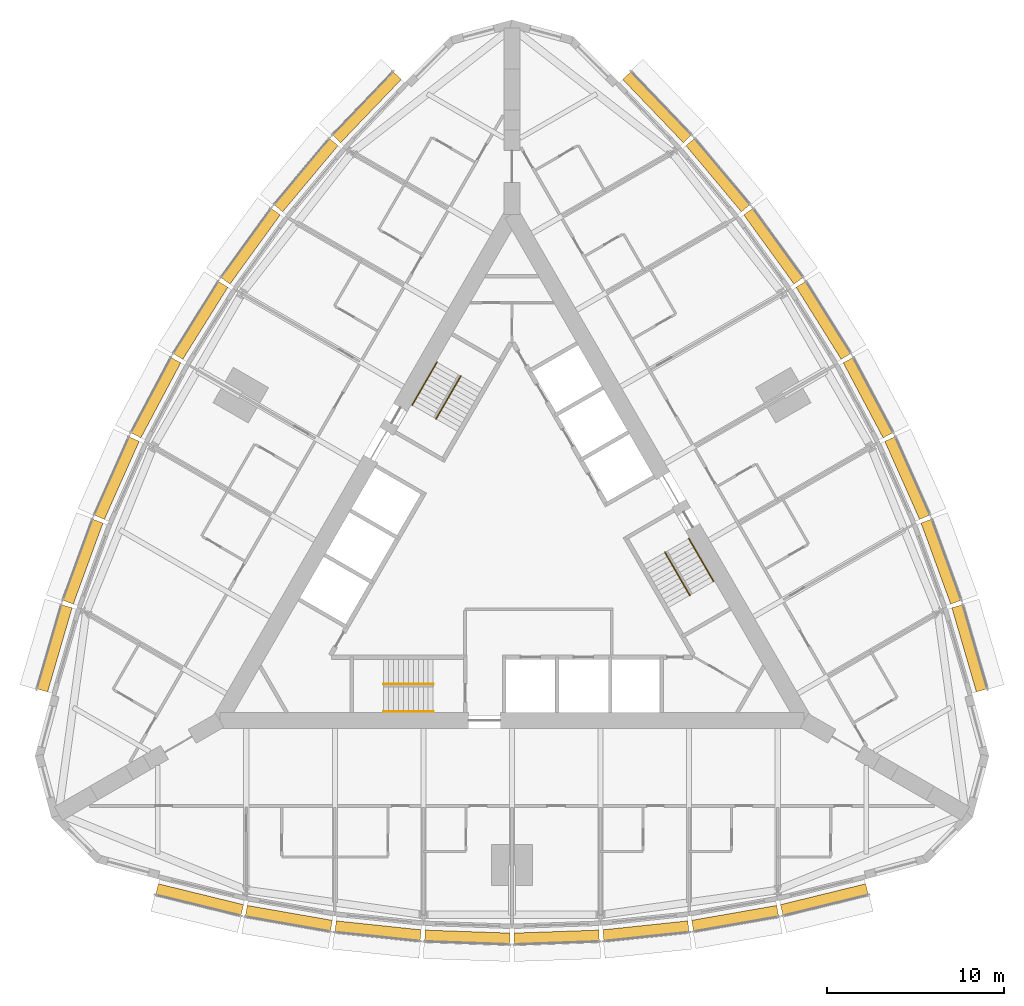
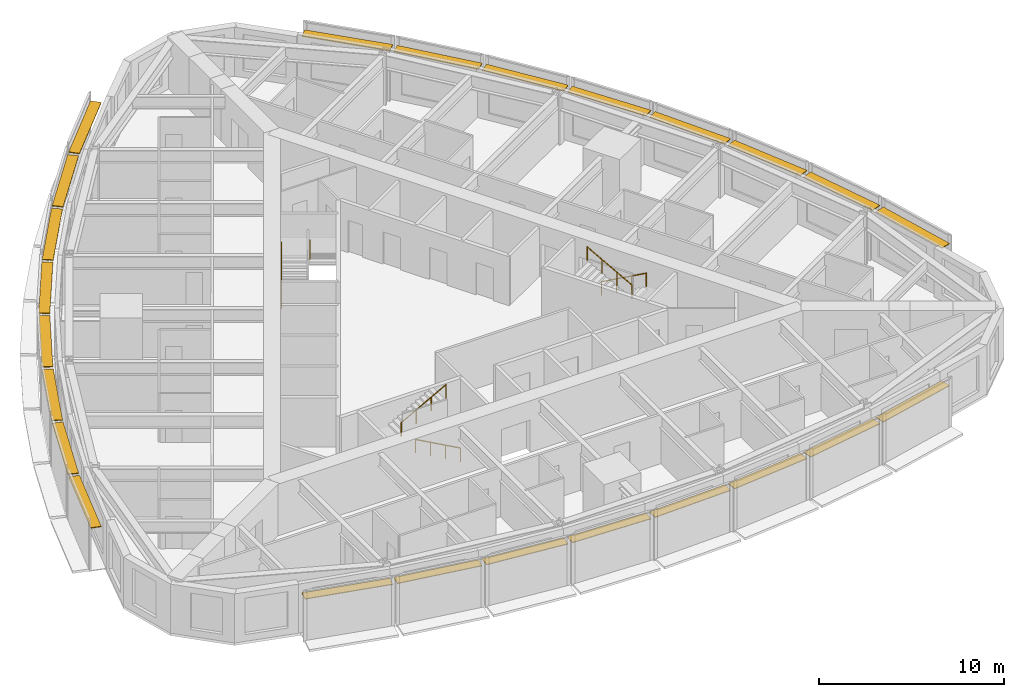
# One storey, part 14 of 14: 24 shading devices, 6 railings.
"""IFC4 building model written with IfcOpenShell, lengths in metres."""

from ifc_helpers import new_model, si_unit, direction, frame, origin, origin_2d, place, context, subcontext, project, spatial, rectangle, circle, extrude, material, type_object, element, save


model = new_model("IFC4")

# Units and contexts
model_context = context("Model", 3, precision=1e-05, world=origin(), true_north=direction((0.0, 1.0)))
body_context = subcontext(model_context, "Body", "Model", "MODEL_VIEW")
ifc_project = project(units=[si_unit("LENGTHUNIT", "METRE"), si_unit("AREAUNIT", "SQUARE_METRE"), si_unit("VOLUMEUNIT", "CUBIC_METRE"), si_unit("PLANEANGLEUNIT", "RADIAN"), si_unit("MASSUNIT", "GRAM", prefix="KILO")], contexts=[model_context])

# Site, building, storey
site_placement = place(None, origin())
site = spatial("IfcSite", under=ifc_project, at=site_placement, CompositionType="ELEMENT")
building_placement = place(site_placement, origin())
building = spatial("IfcBuilding", under=site, at=building_placement, Name="Trikona Tower", CompositionType="ELEMENT")
storey_placement = place(building_placement, frame((0.0, 0.0, 145.300048828125)))
storey = spatial("IfcBuildingStorey", under=building, at=storey_placement, Name="L38", CompositionType="ELEMENT", Elevation=145.300048828125)

# Shading devices
ifc_material_1 = material(Name="Aluminium louvre blade, pale anodised", Category="aluminium")
shading_device_type = type_object("IfcShadingDeviceType", Name="Cavity louvre 600", PredefinedType="USERDEFINED", material=ifc_material_1)
shading_device_1_placement = place(storey_placement, frame((-17.63330078125, -19.631591796875, 2.77490234375), z_axis=(0.0, 0.0, 1.0), x_axis=(0.971274411564, -0.237962218516, 0.0)))
element("IfcShadingDevice", 1, at=shading_device_1_placement, inside=storey, type_object=shading_device_type, Name="Cavity louvre L38-00", ObjectType="LOUVRE", PredefinedType="USERDEFINED", context=body_context, shape_type="SweptSolid", body=[
    extrude(rectangle(XDim=4.947998046875, YDim=0.60009765625, at=origin_2d()), origin(), (0.0, 0.0, 1.0), 0.050048828125),
])
shading_device_2_placement = place(storey_placement, frame((-12.596435546875, -20.689208984375, 2.77490234375), z_axis=(0.0, 0.0, 1.0), x_axis=(0.985030604067, -0.172379549401, 0.0)))
element("IfcShadingDevice", 2, at=shading_device_2_placement, inside=storey, type_object=shading_device_type, Name="Cavity louvre L38-01", ObjectType="LOUVRE", PredefinedType="USERDEFINED", context=body_context, shape_type="SweptSolid", body=[
    extrude(rectangle(XDim=4.8759765625, YDim=0.60009765625, at=origin_2d()), origin(), (0.0, 0.0, 1.0), 0.050048828125),
])
shading_device_3_placement = place(storey_placement, frame((-7.55859375, -21.39453125, 2.77490234375), z_axis=(0.0, 0.0, 1.0), x_axis=(0.994532653854, -0.104426052392, 0.0)))
element("IfcShadingDevice", 3, at=shading_device_3_placement, inside=storey, type_object=shading_device_type, Name="Cavity louvre L38-02", ObjectType="LOUVRE", PredefinedType="USERDEFINED", context=body_context, shape_type="SweptSolid", body=[
    extrude(rectangle(XDim=4.827392578125, YDim=0.60009765625, at=origin_2d()), origin(), (0.0, 0.0, 1.0), 0.050048828125),
])
for number, where, z_axis, x_axis, name in (
    (4, (-2.51953125, -21.747314453125, 2.77490234375), (0.0, 0.0, 1.0), (0.999388082937, -0.034977988567, 0.0), "Cavity louvre L38-03"),
    (5, (2.51953125, -21.747314453125, 2.77490234375), (0.0, 0.0, 1.0), (0.999388082937, 0.034977988567, 0.0), "Cavity louvre L38-04"),
):
    element("IfcShadingDevice", number, at=place(storey_placement, frame(where, z_axis=z_axis, x_axis=x_axis)), inside=storey, type_object=shading_device_type, Name=name, ObjectType="LOUVRE", PredefinedType="USERDEFINED", context=body_context, shape_type="SweptSolid", body=[
        extrude(rectangle(XDim=4.802978515625, YDim=0.60009765625, at=origin_2d()), origin(), (0.0, 0.0, 1.0), 0.050048828125),
    ])
shading_device_4_placement = place(storey_placement, frame((7.55859375, -21.39453125, 2.77490234375), z_axis=(0.0, 0.0, 1.0), x_axis=(0.994532653854, 0.104426052392, 0.0)))
element("IfcShadingDevice", 6, at=shading_device_4_placement, inside=storey, type_object=shading_device_type, Name="Cavity louvre L38-05", ObjectType="LOUVRE", PredefinedType="USERDEFINED", context=body_context, shape_type="SweptSolid", body=[
    extrude(rectangle(XDim=4.827392578125, YDim=0.60009765625, at=origin_2d()), origin(), (0.0, 0.0, 1.0), 0.050048828125),
])
shading_device_5_placement = place(storey_placement, frame((12.596435546875, -20.689208984375, 2.77490234375), z_axis=(0.0, 0.0, 1.0), x_axis=(0.985030604067, 0.172379549401, 0.0)))
element("IfcShadingDevice", 7, at=shading_device_5_placement, inside=storey, type_object=shading_device_type, Name="Cavity louvre L38-06", ObjectType="LOUVRE", PredefinedType="USERDEFINED", context=body_context, shape_type="SweptSolid", body=[
    extrude(rectangle(XDim=4.8759765625, YDim=0.60009765625, at=origin_2d()), origin(), (0.0, 0.0, 1.0), 0.050048828125),
])
shading_device_6_placement = place(storey_placement, frame((17.63330078125, -19.631591796875, 2.77490234375), z_axis=(0.0, 0.0, 1.0), x_axis=(0.971274411564, 0.237962218516, 0.0)))
element("IfcShadingDevice", 8, at=shading_device_6_placement, inside=storey, type_object=shading_device_type, Name="Cavity louvre L38-07", ObjectType="LOUVRE", PredefinedType="USERDEFINED", context=body_context, shape_type="SweptSolid", body=[
    extrude(rectangle(XDim=4.947998046875, YDim=0.60009765625, at=origin_2d()), origin(), (0.0, 0.0, 1.0), 0.050048828125),
])
shading_device_7_placement = place(storey_placement, frame((25.818115234375, -5.455078125, 2.77490234375), z_axis=(0.0, 0.0, 1.0), x_axis=(-0.279554203664, 0.960129911634, 0.0)))
element("IfcShadingDevice", 9, at=shading_device_7_placement, inside=storey, type_object=shading_device_type, Name="Cavity louvre L38-12", ObjectType="LOUVRE", PredefinedType="USERDEFINED", context=body_context, shape_type="SweptSolid", body=[
    extrude(rectangle(XDim=4.94775390625, YDim=0.60009765625, at=origin_2d()), origin(), (0.0, 0.0, 1.0), 0.050048828125),
])
shading_device_8_placement = place(storey_placement, frame((24.2158203125, -0.564208984375, 2.77490234375), z_axis=(0.0, 0.0, 1.0), x_axis=(-0.343220397324, 0.939254895575, 0.0)))
element("IfcShadingDevice", 10, at=shading_device_8_placement, inside=storey, type_object=shading_device_type, Name="Cavity louvre L38-13", ObjectType="LOUVRE", PredefinedType="USERDEFINED", context=body_context, shape_type="SweptSolid", body=[
    extrude(rectangle(XDim=4.8759765625, YDim=0.60009765625, at=origin_2d()), origin(), (0.0, 0.0, 1.0), 0.050048828125),
])
shading_device_9_placement = place(storey_placement, frame((22.3076171875, 4.151611328125, 2.77490234375), z_axis=(0.0, 0.0, 1.0), x_axis=(-0.406843467615, 0.913497888809, 0.0)))
element("IfcShadingDevice", 11, at=shading_device_9_placement, inside=storey, type_object=shading_device_type, Name="Cavity louvre L38-14", ObjectType="LOUVRE", PredefinedType="USERDEFINED", context=body_context, shape_type="SweptSolid", body=[
    extrude(rectangle(XDim=4.827392578125, YDim=0.60009765625, at=origin_2d()), origin(), (0.0, 0.0, 1.0), 0.050048828125),
])
for number, where, z_axis, x_axis, name in (
    (12, (20.093505859375, 8.691650390625, 2.77490234375), (0.0, 0.0, 1.0), (-0.469397591494, 0.882986920118, 0.0), "Cavity louvre L38-15"),
    (13, (17.573974609375, 13.0556640625, 2.77490234375), (0.0, 0.0, 1.0), (-0.529994748414, 0.848000923734, 0.0), "Cavity louvre L38-16"),
):
    element("IfcShadingDevice", number, at=place(storey_placement, frame(where, z_axis=z_axis, x_axis=x_axis)), inside=storey, type_object=shading_device_type, Name=name, ObjectType="LOUVRE", PredefinedType="USERDEFINED", context=body_context, shape_type="SweptSolid", body=[
        extrude(rectangle(XDim=4.802978515625, YDim=0.60009765625, at=origin_2d()), origin(), (0.0, 0.0, 1.0), 0.050048828125),
    ])
shading_device_10_placement = place(storey_placement, frame((14.7490234375, 17.2431640625, 2.77490234375), z_axis=(0.0, 0.0, 1.0), x_axis=(-0.587686407834, 0.809088799853, 0.0)))
element("IfcShadingDevice", 14, at=shading_device_10_placement, inside=storey, type_object=shading_device_type, Name="Cavity louvre L38-17", ObjectType="LOUVRE", PredefinedType="USERDEFINED", context=body_context, shape_type="SweptSolid", body=[
    extrude(rectangle(XDim=4.827392578125, YDim=0.60009765625, at=origin_2d()), origin(), (0.0, 0.0, 1.0), 0.050048828125),
])
shading_device_11_placement = place(storey_placement, frame((11.619140625, 21.253662109375, 2.77490234375), z_axis=(0.0, 0.0, 1.0), x_axis=(-0.641807063101, 0.766866151133, 0.0)))
element("IfcShadingDevice", 15, at=shading_device_11_placement, inside=storey, type_object=shading_device_type, Name="Cavity louvre L38-18", ObjectType="LOUVRE", PredefinedType="USERDEFINED", context=body_context, shape_type="SweptSolid", body=[
    extrude(rectangle(XDim=4.8759765625, YDim=0.60009765625, at=origin_2d()), origin(), (0.0, 0.0, 1.0), 0.050048828125),
])
for number, where, z_axis, x_axis, name in (
    (16, (8.184814453125, 25.086669921875, 2.77490234375), (0.0, 0.0, 1.0), (-0.691723573819, 0.722162376078, 0.0), "Cavity louvre L38-19"),
    (17, (-8.184814453125, 25.086669921875, 2.77490234375), (0.0, 0.0, 1.0), (-0.691723573819, -0.722162376078, 0.0), "Cavity louvre L38-24"),
):
    element("IfcShadingDevice", number, at=place(storey_placement, frame(where, z_axis=z_axis, x_axis=x_axis)), inside=storey, type_object=shading_device_type, Name=name, ObjectType="LOUVRE", PredefinedType="USERDEFINED", context=body_context, shape_type="SweptSolid", body=[
        extrude(rectangle(XDim=4.947998046875, YDim=0.60009765625, at=origin_2d()), origin(), (0.0, 0.0, 1.0), 0.050048828125),
    ])
shading_device_12_placement = place(storey_placement, frame((-11.619140625, 21.253662109375, 2.77490234375), z_axis=(0.0, 0.0, 1.0), x_axis=(-0.641807063101, -0.766866151133, 0.0)))
element("IfcShadingDevice", 18, at=shading_device_12_placement, inside=storey, type_object=shading_device_type, Name="Cavity louvre L38-25", ObjectType="LOUVRE", PredefinedType="USERDEFINED", context=body_context, shape_type="SweptSolid", body=[
    extrude(rectangle(XDim=4.8759765625, YDim=0.60009765625, at=origin_2d()), origin(), (0.0, 0.0, 1.0), 0.050048828125),
])
shading_device_13_placement = place(storey_placement, frame((-14.7490234375, 17.2431640625, 2.77490234375), z_axis=(0.0, 0.0, 1.0), x_axis=(-0.587686407834, -0.809088799853, 0.0)))
element("IfcShadingDevice", 19, at=shading_device_13_placement, inside=storey, type_object=shading_device_type, Name="Cavity louvre L38-26", ObjectType="LOUVRE", PredefinedType="USERDEFINED", context=body_context, shape_type="SweptSolid", body=[
    extrude(rectangle(XDim=4.827392578125, YDim=0.60009765625, at=origin_2d()), origin(), (0.0, 0.0, 1.0), 0.050048828125),
])
for number, where, z_axis, x_axis, name in (
    (20, (-17.573974609375, 13.0556640625, 2.77490234375), (0.0, 0.0, 1.0), (-0.529994748414, -0.848000923734, 0.0), "Cavity louvre L38-27"),
    (21, (-20.093505859375, 8.691650390625, 2.77490234375), (0.0, 0.0, 1.0), (-0.469397591494, -0.882986920118, 0.0), "Cavity louvre L38-28"),
):
    element("IfcShadingDevice", number, at=place(storey_placement, frame(where, z_axis=z_axis, x_axis=x_axis)), inside=storey, type_object=shading_device_type, Name=name, ObjectType="LOUVRE", PredefinedType="USERDEFINED", context=body_context, shape_type="SweptSolid", body=[
        extrude(rectangle(XDim=4.802978515625, YDim=0.60009765625, at=origin_2d()), origin(), (0.0, 0.0, 1.0), 0.050048828125),
    ])
shading_device_14_placement = place(storey_placement, frame((-22.3076171875, 4.151611328125, 2.77490234375), z_axis=(0.0, 0.0, 1.0), x_axis=(-0.406843467615, -0.913497888809, 0.0)))
element("IfcShadingDevice", 22, at=shading_device_14_placement, inside=storey, type_object=shading_device_type, Name="Cavity louvre L38-29", ObjectType="LOUVRE", PredefinedType="USERDEFINED", context=body_context, shape_type="SweptSolid", body=[
    extrude(rectangle(XDim=4.827392578125, YDim=0.60009765625, at=origin_2d()), origin(), (0.0, 0.0, 1.0), 0.050048828125),
])
shading_device_15_placement = place(storey_placement, frame((-24.2158203125, -0.564208984375, 2.77490234375), z_axis=(0.0, 0.0, 1.0), x_axis=(-0.343220397324, -0.939254895575, 0.0)))
element("IfcShadingDevice", 23, at=shading_device_15_placement, inside=storey, type_object=shading_device_type, Name="Cavity louvre L38-30", ObjectType="LOUVRE", PredefinedType="USERDEFINED", context=body_context, shape_type="SweptSolid", body=[
    extrude(rectangle(XDim=4.8759765625, YDim=0.60009765625, at=origin_2d()), origin(), (0.0, 0.0, 1.0), 0.050048828125),
])
shading_device_16_placement = place(storey_placement, frame((-25.818115234375, -5.455078125, 2.77490234375), z_axis=(0.0, 0.0, 1.0), x_axis=(-0.279554203664, -0.960129911634, 0.0)))
element("IfcShadingDevice", 24, at=shading_device_16_placement, inside=storey, type_object=shading_device_type, Name="Cavity louvre L38-31", ObjectType="LOUVRE", PredefinedType="USERDEFINED", context=body_context, shape_type="SweptSolid", body=[
    extrude(rectangle(XDim=4.94775390625, YDim=0.60009765625, at=origin_2d()), origin(), (0.0, 0.0, 1.0), 0.050048828125),
])

# Railings
ifc_material_2 = material(Name="Stainless steel handrail", Category="steel")
railing_type = type_object("IfcRailingType", Name="Stair handrail", PredefinedType="HANDRAIL", material=ifc_material_2)
railing_1_placement = place(storey_placement, frame((-4.449951171875, -9.016357421875, 0.154541015625)))
element("IfcRailing", 25, at=railing_1_placement, inside=storey, type_object=railing_type, Name="Stair handrail A L38 1", PredefinedType="HANDRAIL", context=body_context, shape_type="SweptSolid", body=[
    extrude(circle(Radius=0.02392578125, at=origin_2d()), frame((0.0, 0.0, 0.8759765625), z_axis=(-0.875504190374, 0.0, 0.483210526207), x_axis=(0.0, -1.0, 0.0)), (0.0, 0.0, 1.0), 3.1982421875),
    extrude(circle(Radius=0.02099609375, at=origin_2d()), origin(), (0.0, 0.0, 1.0), 0.851806640625),
    extrude(circle(Radius=0.02099609375, at=origin_2d()), frame((-0.933349609375, 0.0, 0.51513671875)), (0.0, 0.0, 1.0), 0.851806640625),
    extrude(circle(Radius=0.02099609375, at=origin_2d()), frame((-1.86669921875, 0.0, 1.0302734375)), (0.0, 0.0, 1.0), 0.851806640625),
    extrude(circle(Radius=0.02099609375, at=origin_2d()), frame((-2.800048828125, 0.0, 1.54541015625)), (0.0, 0.0, 1.0), 0.851806640625),
])
railing_2_placement = place(storey_placement, frame((-7.25, -7.46630859375, 1.8544921875)))
element("IfcRailing", 26, at=railing_2_placement, inside=storey, type_object=railing_type, Name="Stair handrail A L38 2", PredefinedType="HANDRAIL", context=body_context, shape_type="SweptSolid", body=[
    extrude(circle(Radius=0.02392578125, at=origin_2d()), frame((0.0, 0.0, 0.8759765625), z_axis=(0.875504190374, 0.0, 0.483210526207), x_axis=(0.0, 1.0, 0.0)), (0.0, 0.0, 1.0), 3.1982421875),
    extrude(circle(Radius=0.02099609375, at=origin_2d()), origin(), (0.0, 0.0, 1.0), 0.851806640625),
    extrude(circle(Radius=0.02099609375, at=origin_2d()), frame((0.933349609375, 0.0, 0.51513671875)), (0.0, 0.0, 1.0), 0.851806640625),
    extrude(circle(Radius=0.02099609375, at=origin_2d()), frame((1.86669921875, 0.0, 1.0302734375)), (0.0, 0.0, 1.0), 0.851806640625),
    extrude(circle(Radius=0.02099609375, at=origin_2d()), frame((2.800048828125, 0.0, 1.54541015625)), (0.0, 0.0, 1.0), 0.851806640625),
])
railing_3_placement = place(storey_placement, frame((9.9833984375, 0.740966796875, 0.154541015625)))
element("IfcRailing", 27, at=railing_3_placement, inside=storey, type_object=railing_type, Name="Stair handrail B L38 1", PredefinedType="HANDRAIL", context=body_context, shape_type="SweptSolid", body=[
    extrude(circle(Radius=0.02392578125, at=origin_2d()), frame((0.0, 0.0, 0.8759765625), z_axis=(0.437707188162, -0.758239536103, 0.483203087036), x_axis=(0.866056369097, 0.49994636267, 0.0)), (0.0, 0.0, 1.0), 3.1982421875),
    extrude(circle(Radius=0.02099609375, at=origin_2d()), origin(), (0.0, 0.0, 1.0), 0.851806640625),
    extrude(circle(Radius=0.02099609375, at=origin_2d()), frame((0.466552734375, -0.808349609375, 0.51513671875)), (0.0, 0.0, 1.0), 0.851806640625),
    extrude(circle(Radius=0.02099609375, at=origin_2d()), frame((0.933349609375, -1.61669921875, 1.0302734375)), (0.0, 0.0, 1.0), 0.851806640625),
    extrude(circle(Radius=0.02099609375, at=origin_2d()), frame((1.39990234375, -2.425048828125, 1.54541015625)), (0.0, 0.0, 1.0), 0.851806640625),
])
railing_4_placement = place(storey_placement, frame((10.041015625, -2.458984375, 1.8544921875)))
element("IfcRailing", 28, at=railing_4_placement, inside=storey, type_object=railing_type, Name="Stair handrail B L38 2", PredefinedType="HANDRAIL", context=body_context, shape_type="SweptSolid", body=[
    extrude(circle(Radius=0.02392578125, at=origin_2d()), frame((0.0, 0.0, 0.8759765625), z_axis=(-0.437707188162, 0.758239536103, 0.483203087036), x_axis=(-0.866056369097, -0.49994636267, 0.0)), (0.0, 0.0, 1.0), 3.1982421875),
    extrude(circle(Radius=0.02099609375, at=origin_2d()), origin(), (0.0, 0.0, 1.0), 0.851806640625),
    extrude(circle(Radius=0.02099609375, at=origin_2d()), frame((-0.466552734375, 0.808349609375, 0.51513671875)), (0.0, 0.0, 1.0), 0.851806640625),
    extrude(circle(Radius=0.02099609375, at=origin_2d()), frame((-0.933349609375, 1.61669921875, 1.0302734375)), (0.0, 0.0, 1.0), 0.851806640625),
    extrude(circle(Radius=0.02099609375, at=origin_2d()), frame((-1.39990234375, 2.425048828125, 1.54541015625)), (0.0, 0.0, 1.0), 0.851806640625),
])
railing_5_placement = place(storey_placement, frame((-5.63330078125, 8.275390625, 0.154541015625)))
element("IfcRailing", 29, at=railing_5_placement, inside=storey, type_object=railing_type, Name="Stair handrail C L38 1", PredefinedType="HANDRAIL", context=body_context, shape_type="SweptSolid", body=[
    extrude(circle(Radius=0.02392578125, at=origin_2d()), frame((0.0, 0.0, 0.8759765625), z_axis=(0.437732523806, 0.758207085183, 0.483231056102), x_axis=(-0.866034573852, 0.49998411664, 0.0)), (0.0, 0.0, 1.0), 3.197998046875),
    extrude(circle(Radius=0.02099609375, at=origin_2d()), origin(), (0.0, 0.0, 1.0), 0.851806640625),
    extrude(circle(Radius=0.02099609375, at=origin_2d()), frame((0.466552734375, 0.808349609375, 0.51513671875)), (0.0, 0.0, 1.0), 0.851806640625),
    extrude(circle(Radius=0.02099609375, at=origin_2d()), frame((0.933349609375, 1.616455078125, 1.0302734375)), (0.0, 0.0, 1.0), 0.851806640625),
    extrude(circle(Radius=0.02099609375, at=origin_2d()), frame((1.39990234375, 2.4248046875, 1.54541015625)), (0.0, 0.0, 1.0), 0.851806640625),
])
railing_6_placement = place(storey_placement, frame((-2.89111328125, 9.92529296875, 1.8544921875)))
element("IfcRailing", 30, at=railing_6_placement, inside=storey, type_object=railing_type, Name="Stair handrail C L38 2", PredefinedType="HANDRAIL", context=body_context, shape_type="SweptSolid", body=[
    extrude(circle(Radius=0.02392578125, at=origin_2d()), frame((0.0, 0.0, 0.8759765625), z_axis=(-0.437707188162, -0.758239536103, 0.483203087036), x_axis=(0.866056369097, -0.49994636267, 0.0)), (0.0, 0.0, 1.0), 3.1982421875),
    extrude(circle(Radius=0.02099609375, at=origin_2d()), origin(), (0.0, 0.0, 1.0), 0.851806640625),
    extrude(circle(Radius=0.02099609375, at=origin_2d()), frame((-0.466552734375, -0.808349609375, 0.51513671875)), (0.0, 0.0, 1.0), 0.851806640625),
    extrude(circle(Radius=0.02099609375, at=origin_2d()), frame((-0.933349609375, -1.61669921875, 1.0302734375)), (0.0, 0.0, 1.0), 0.851806640625),
    extrude(circle(Radius=0.02099609375, at=origin_2d()), frame((-1.39990234375, -2.425048828125, 1.54541015625)), (0.0, 0.0, 1.0), 0.851806640625),
])

save(model, "model.ifc")
